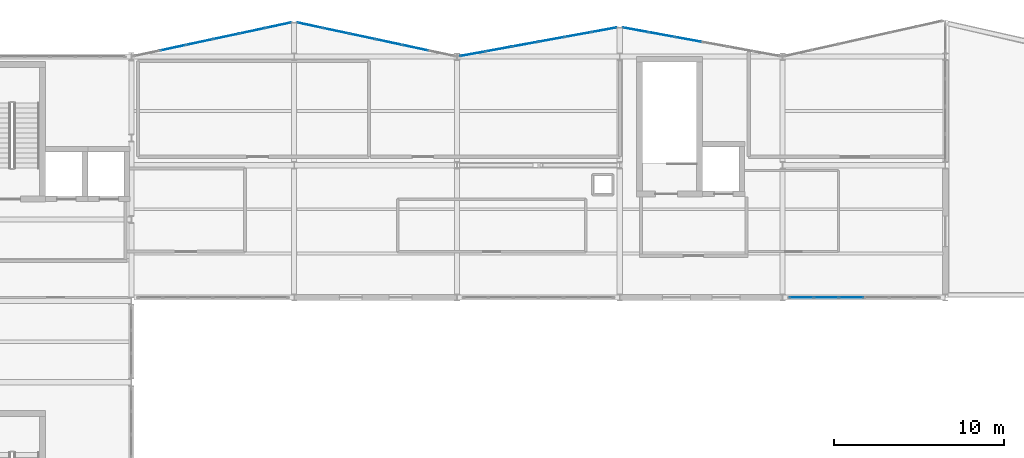
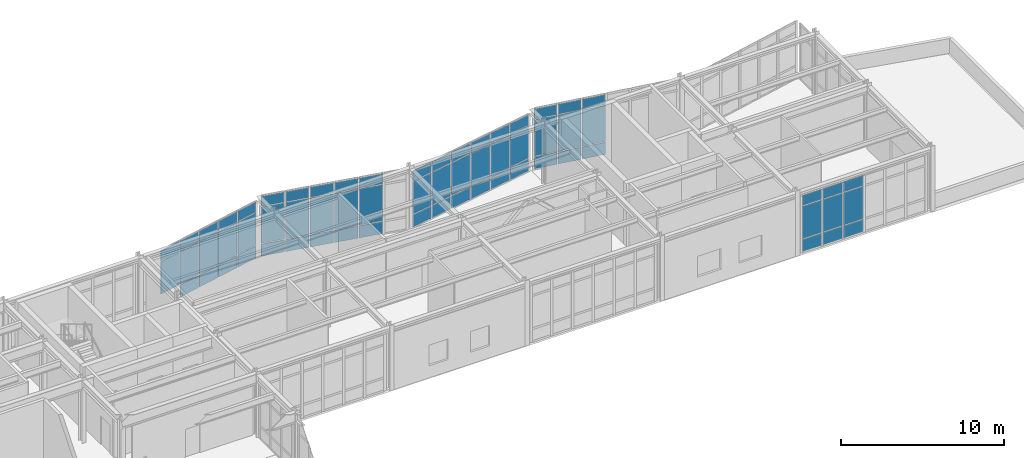
# One storey, part 20 of 28: 65 plates, 5 elements without a shape of their own.
"""IFC4 building model written with IfcOpenShell, lengths in metres."""

from ifc_helpers import new_model, si_unit, direction, frame, origin, origin_2d, place, context, subcontext, project, spatial, rectangle, extrude, material, layer, layer_set, type_object, element, aggregate, save


model = new_model("IFC4")

# Units and contexts
model_context = context("Model", 3, precision=1e-05, world=origin(), true_north=direction((0.0, 1.0)))
body_context = subcontext(model_context, "Body", "Model", "MODEL_VIEW")
ifc_project = project(units=[si_unit("LENGTHUNIT", "METRE"), si_unit("AREAUNIT", "SQUARE_METRE"), si_unit("VOLUMEUNIT", "CUBIC_METRE"), si_unit("PLANEANGLEUNIT", "RADIAN"), si_unit("MASSUNIT", "GRAM", prefix="KILO")], contexts=[model_context])

# Site, building, storey
site_placement = place(None, origin())
site = spatial("IfcSite", under=ifc_project, at=site_placement, CompositionType="ELEMENT")
building_placement = place(site_placement, origin())
building = spatial("IfcBuilding", under=site, at=building_placement, Name="Nordkorset Police Headquarters", CompositionType="ELEMENT")
storey_placement = place(building_placement, frame((0.0, 0.0, 26.25)))
storey = spatial("IfcBuildingStorey", under=building, at=storey_placement, Name="L06", CompositionType="ELEMENT", Elevation=26.25)

# Curtain wall, plates
ifc_material_1 = material(Name="Aluminium alloy AW-6060", Category="aluminium")
ifc_layer_1 = layer(ifc_material_1, 0.179931640625, Name="Aluminium alloy AW-6060")
ifc_layer_set_1 = layer_set([ifc_layer_1], Name="Aluminium alloy AW-6060")
curtain_wall_type_1 = type_object("IfcCurtainWallType", Name="CW_Unit_954x434", PredefinedType="USERDEFINED", material=ifc_layer_set_1)
curtain_wall_1_placement = place(storey_placement, origin())
curtain_wall_1 = element("IfcCurtainWall", 1, at=curtain_wall_1_placement, inside=storey, type_object=curtain_wall_type_1, Name="Unitised Curtain Wall L06 V2N-0", ObjectType="UNITISED CURTAIN WALL", PredefinedType="USERDEFINED")
ifc_material_2 = material(Name="Low-iron triple glazing", Category="glass")
ifc_layer_2 = layer(ifc_material_2, 0.035888671875, Name="Low-iron triple glazing")
ifc_layer_set_2 = layer_set([ifc_layer_2], Name="Low-iron triple glazing")
plate_type = type_object("IfcPlateType", Name="CW_Panel_TripleGlazing_36", PredefinedType="CURTAIN_PANEL", material=ifc_layer_set_2)
plate_1_placement = place(storey_placement, frame((31.2685546875, 117.3271484375, 1.032470703125), z_axis=(0.0, 0.0, 1.0), x_axis=(0.977951416289, 0.208832534289, 0.0)))
plate_1 = element("IfcPlate", 2, at=plate_1_placement, type_object=plate_type, Name="CW-77 panel 2.2", PredefinedType="CURTAIN_PANEL", context=body_context, shape_type="SweptSolid", body=[
    extrude(rectangle(XDim=1.5244140625, YDim=0.035888671875, at=origin_2d()), origin(), (0.0, 0.0, 1.0), 2.419921875),
])
plate_2_placement = place(storey_placement, frame((31.2685546875, 117.3271484375, 3.517578125), z_axis=(0.0, 0.0, 1.0), x_axis=(0.977951416289, 0.208832534289, 0.0)))
plate_2 = element("IfcPlate", 3, at=plate_2_placement, type_object=plate_type, Name="CW-77 panel 2.3", PredefinedType="CURTAIN_PANEL", context=body_context, shape_type="SweptSolid", body=[
    extrude(rectangle(XDim=1.5244140625, YDim=0.035888671875, at=origin_2d()), origin(), (0.0, 0.0, 1.0), 0.75244140625),
])
plate_3_placement = place(storey_placement, frame((32.82275390625, 117.658935546875, 0.06494140625), z_axis=(0.0, 0.0, 1.0), x_axis=(0.977951416289, 0.208832534289, 0.0)))
plate_3 = element("IfcPlate", 4, at=plate_3_placement, type_object=plate_type, Name="CW-77 panel 3.1", PredefinedType="CURTAIN_PANEL", context=body_context, shape_type="SweptSolid", body=[
    extrude(rectangle(XDim=1.5244140625, YDim=0.035888671875, at=origin_2d()), origin(), (0.0, 0.0, 1.0), 0.902587890625),
])
plate_4_placement = place(storey_placement, frame((32.82275390625, 117.658935546875, 1.032470703125), z_axis=(0.0, 0.0, 1.0), x_axis=(0.977951416289, 0.208832534289, 0.0)))
plate_4 = element("IfcPlate", 5, at=plate_4_placement, type_object=plate_type, Name="CW-77 panel 3.2", PredefinedType="CURTAIN_PANEL", context=body_context, shape_type="SweptSolid", body=[
    extrude(rectangle(XDim=1.5244140625, YDim=0.035888671875, at=origin_2d()), origin(), (0.0, 0.0, 1.0), 2.419921875),
])
plate_5_placement = place(storey_placement, frame((32.82275390625, 117.658935546875, 3.517578125), z_axis=(0.0, 0.0, 1.0), x_axis=(0.977951416289, 0.208832534289, 0.0)))
plate_5 = element("IfcPlate", 6, at=plate_5_placement, type_object=plate_type, Name="CW-77 panel 3.3", PredefinedType="CURTAIN_PANEL", context=body_context, shape_type="SweptSolid", body=[
    extrude(rectangle(XDim=1.5244140625, YDim=0.035888671875, at=origin_2d()), origin(), (0.0, 0.0, 1.0), 0.75244140625),
])
plate_6_placement = place(storey_placement, frame((34.377197265625, 117.990966796875, 0.06494140625), z_axis=(0.0, 0.0, 1.0), x_axis=(0.977951416289, 0.208832534289, 0.0)))
plate_6 = element("IfcPlate", 7, at=plate_6_placement, type_object=plate_type, Name="CW-77 panel 4.1", PredefinedType="CURTAIN_PANEL", context=body_context, shape_type="SweptSolid", body=[
    extrude(rectangle(XDim=1.5244140625, YDim=0.035888671875, at=origin_2d()), origin(), (0.0, 0.0, 1.0), 0.902587890625),
])
plate_7_placement = place(storey_placement, frame((34.377197265625, 117.990966796875, 1.032470703125), z_axis=(0.0, 0.0, 1.0), x_axis=(0.977951416289, 0.208832534289, 0.0)))
plate_7 = element("IfcPlate", 8, at=plate_7_placement, type_object=plate_type, Name="CW-77 panel 4.2", PredefinedType="CURTAIN_PANEL", context=body_context, shape_type="SweptSolid", body=[
    extrude(rectangle(XDim=1.5244140625, YDim=0.035888671875, at=origin_2d()), origin(), (0.0, 0.0, 1.0), 2.419921875),
])
plate_8_placement = place(storey_placement, frame((34.377197265625, 117.990966796875, 3.517578125), z_axis=(0.0, 0.0, 1.0), x_axis=(0.977951416289, 0.208832534289, 0.0)))
plate_8 = element("IfcPlate", 9, at=plate_8_placement, type_object=plate_type, Name="CW-77 panel 4.3", PredefinedType="CURTAIN_PANEL", context=body_context, shape_type="SweptSolid", body=[
    extrude(rectangle(XDim=1.5244140625, YDim=0.035888671875, at=origin_2d()), origin(), (0.0, 0.0, 1.0), 0.75244140625),
])
plate_9_placement = place(storey_placement, frame((35.931640625, 118.322998046875, 0.06494140625), z_axis=(0.0, 0.0, 1.0), x_axis=(0.977951416289, 0.208832534289, 0.0)))
plate_9 = element("IfcPlate", 10, at=plate_9_placement, type_object=plate_type, Name="CW-77 panel 5.1", PredefinedType="CURTAIN_PANEL", context=body_context, shape_type="SweptSolid", body=[
    extrude(rectangle(XDim=1.5244140625, YDim=0.035888671875, at=origin_2d()), origin(), (0.0, 0.0, 1.0), 0.902587890625),
])
plate_10_placement = place(storey_placement, frame((35.931640625, 118.322998046875, 1.032470703125), z_axis=(0.0, 0.0, 1.0), x_axis=(0.977951416289, 0.208832534289, 0.0)))
plate_10 = element("IfcPlate", 11, at=plate_10_placement, type_object=plate_type, Name="CW-77 panel 5.2", PredefinedType="CURTAIN_PANEL", context=body_context, shape_type="SweptSolid", body=[
    extrude(rectangle(XDim=1.5244140625, YDim=0.035888671875, at=origin_2d()), origin(), (0.0, 0.0, 1.0), 2.419921875),
])
plate_11_placement = place(storey_placement, frame((35.931640625, 118.322998046875, 3.517578125), z_axis=(0.0, 0.0, 1.0), x_axis=(0.977951416289, 0.208832534289, 0.0)))
plate_11 = element("IfcPlate", 12, at=plate_11_placement, type_object=plate_type, Name="CW-77 panel 5.3", PredefinedType="CURTAIN_PANEL", context=body_context, shape_type="SweptSolid", body=[
    extrude(rectangle(XDim=1.5244140625, YDim=0.035888671875, at=origin_2d()), origin(), (0.0, 0.0, 1.0), 0.75244140625),
])
plate_12_placement = place(storey_placement, frame((37.469970703125, 118.6513671875, 0.06494140625), z_axis=(0.0, 0.0, 1.0), x_axis=(0.977951416289, 0.208832534289, 0.0)))
plate_12 = element("IfcPlate", 13, at=plate_12_placement, type_object=plate_type, Name="CW-77 panel 6.1", PredefinedType="CURTAIN_PANEL", context=body_context, shape_type="SweptSolid", body=[
    extrude(rectangle(XDim=1.491943359375, YDim=0.035888671875, at=origin_2d()), origin(), (0.0, 0.0, 1.0), 0.902587890625),
])
plate_13_placement = place(storey_placement, frame((37.469970703125, 118.6513671875, 1.032470703125), z_axis=(0.0, 0.0, 1.0), x_axis=(0.977951416289, 0.208832534289, 0.0)))
plate_13 = element("IfcPlate", 14, at=plate_13_placement, type_object=plate_type, Name="CW-77 panel 6.2", PredefinedType="CURTAIN_PANEL", context=body_context, shape_type="SweptSolid", body=[
    extrude(rectangle(XDim=1.491943359375, YDim=0.035888671875, at=origin_2d()), origin(), (0.0, 0.0, 1.0), 2.419921875),
])
plate_14_placement = place(storey_placement, frame((37.469970703125, 118.6513671875, 3.517578125), z_axis=(0.0, 0.0, 1.0), x_axis=(0.977951416289, 0.208832534289, 0.0)))
plate_14 = element("IfcPlate", 15, at=plate_14_placement, type_object=plate_type, Name="CW-77 panel 6.3", PredefinedType="CURTAIN_PANEL", context=body_context, shape_type="SweptSolid", body=[
    extrude(rectangle(XDim=1.491943359375, YDim=0.035888671875, at=origin_2d()), origin(), (0.0, 0.0, 1.0), 0.75244140625),
])
aggregate(curtain_wall_1, [plate_1, plate_2, plate_3, plate_4, plate_5, plate_6, plate_7, plate_8, plate_9, plate_10, plate_11, plate_12, plate_13, plate_14])

ifc_material_3 = material(Name="Aluminium alloy AW-6060", Category="aluminium")
ifc_layer_3 = layer(ifc_material_3, 0.179931640625, Name="Aluminium alloy AW-6060")
ifc_layer_set_3 = layer_set([ifc_layer_3], Name="Aluminium alloy AW-6060")
curtain_wall_type_2 = type_object("IfcCurtainWallType", Name="CW_Unit_954x462", PredefinedType="USERDEFINED", material=ifc_layer_set_3)
curtain_wall_2_placement = place(storey_placement, origin())
curtain_wall_2 = element("IfcCurtainWall", 16, at=curtain_wall_2_placement, inside=storey, type_object=curtain_wall_type_2, Name="Unitised Curtain Wall L06 V2N-1", ObjectType="UNITISED CURTAIN WALL", PredefinedType="USERDEFINED")
plate_15_placement = place(storey_placement, frame((39.330078125, 118.6513671875, 0.06494140625), z_axis=(0.0, 0.0, 1.0), x_axis=(0.977951416289, -0.208832534289, 0.0)))
plate_15 = element("IfcPlate", 17, at=plate_15_placement, type_object=plate_type, Name="CW-88 panel 1.1", PredefinedType="CURTAIN_PANEL", context=body_context, shape_type="SweptSolid", body=[
    extrude(rectangle(XDim=1.491943359375, YDim=0.035888671875, at=origin_2d()), origin(), (0.0, 0.0, 1.0), 0.902587890625),
])
plate_16_placement = place(storey_placement, frame((39.330078125, 118.6513671875, 1.032470703125), z_axis=(0.0, 0.0, 1.0), x_axis=(0.977951416289, -0.208832534289, 0.0)))
plate_16 = element("IfcPlate", 18, at=plate_16_placement, type_object=plate_type, Name="CW-88 panel 1.2", PredefinedType="CURTAIN_PANEL", context=body_context, shape_type="SweptSolid", body=[
    extrude(rectangle(XDim=1.491943359375, YDim=0.035888671875, at=origin_2d()), origin(), (0.0, 0.0, 1.0), 2.705078125),
])
plate_17_placement = place(storey_placement, frame((39.330078125, 118.6513671875, 3.802490234375), z_axis=(0.0, 0.0, 1.0), x_axis=(0.977951416289, -0.208832534289, 0.0)))
plate_17 = element("IfcPlate", 19, at=plate_17_placement, type_object=plate_type, Name="CW-88 panel 1.3", PredefinedType="CURTAIN_PANEL", context=body_context, shape_type="SweptSolid", body=[
    extrude(rectangle(XDim=1.491943359375, YDim=0.035888671875, at=origin_2d()), origin(), (0.0, 0.0, 1.0), 0.75244140625),
])
plate_18_placement = place(storey_placement, frame((40.868408203125, 118.322998046875, 0.06494140625), z_axis=(0.0, 0.0, 1.0), x_axis=(0.977951416289, -0.208832534289, 0.0)))
plate_18 = element("IfcPlate", 20, at=plate_18_placement, type_object=plate_type, Name="CW-88 panel 2.1", PredefinedType="CURTAIN_PANEL", context=body_context, shape_type="SweptSolid", body=[
    extrude(rectangle(XDim=1.5244140625, YDim=0.035888671875, at=origin_2d()), origin(), (0.0, 0.0, 1.0), 0.902587890625),
])
plate_19_placement = place(storey_placement, frame((40.868408203125, 118.322998046875, 1.032470703125), z_axis=(0.0, 0.0, 1.0), x_axis=(0.977951416289, -0.208832534289, 0.0)))
plate_19 = element("IfcPlate", 21, at=plate_19_placement, type_object=plate_type, Name="CW-88 panel 2.2", PredefinedType="CURTAIN_PANEL", context=body_context, shape_type="SweptSolid", body=[
    extrude(rectangle(XDim=1.5244140625, YDim=0.035888671875, at=origin_2d()), origin(), (0.0, 0.0, 1.0), 2.705078125),
])
plate_20_placement = place(storey_placement, frame((40.868408203125, 118.322998046875, 3.802490234375), z_axis=(0.0, 0.0, 1.0), x_axis=(0.977951416289, -0.208832534289, 0.0)))
plate_20 = element("IfcPlate", 22, at=plate_20_placement, type_object=plate_type, Name="CW-88 panel 2.3", PredefinedType="CURTAIN_PANEL", context=body_context, shape_type="SweptSolid", body=[
    extrude(rectangle(XDim=1.5244140625, YDim=0.035888671875, at=origin_2d()), origin(), (0.0, 0.0, 1.0), 0.75244140625),
])
plate_21_placement = place(storey_placement, frame((42.4228515625, 117.990966796875, 0.06494140625), z_axis=(0.0, 0.0, 1.0), x_axis=(0.977951416289, -0.208832534289, 0.0)))
plate_21 = element("IfcPlate", 23, at=plate_21_placement, type_object=plate_type, Name="CW-88 panel 3.1", PredefinedType="CURTAIN_PANEL", context=body_context, shape_type="SweptSolid", body=[
    extrude(rectangle(XDim=1.5244140625, YDim=0.035888671875, at=origin_2d()), origin(), (0.0, 0.0, 1.0), 0.902587890625),
])
plate_22_placement = place(storey_placement, frame((42.4228515625, 117.990966796875, 1.032470703125), z_axis=(0.0, 0.0, 1.0), x_axis=(0.977951416289, -0.208832534289, 0.0)))
plate_22 = element("IfcPlate", 24, at=plate_22_placement, type_object=plate_type, Name="CW-88 panel 3.2", PredefinedType="CURTAIN_PANEL", context=body_context, shape_type="SweptSolid", body=[
    extrude(rectangle(XDim=1.5244140625, YDim=0.035888671875, at=origin_2d()), origin(), (0.0, 0.0, 1.0), 2.705078125),
])
plate_23_placement = place(storey_placement, frame((42.4228515625, 117.990966796875, 3.802490234375), z_axis=(0.0, 0.0, 1.0), x_axis=(0.977951416289, -0.208832534289, 0.0)))
plate_23 = element("IfcPlate", 25, at=plate_23_placement, type_object=plate_type, Name="CW-88 panel 3.3", PredefinedType="CURTAIN_PANEL", context=body_context, shape_type="SweptSolid", body=[
    extrude(rectangle(XDim=1.5244140625, YDim=0.035888671875, at=origin_2d()), origin(), (0.0, 0.0, 1.0), 0.75244140625),
])
plate_24_placement = place(storey_placement, frame((43.977294921875, 117.658935546875, 0.06494140625), z_axis=(0.0, 0.0, 1.0), x_axis=(0.977951416289, -0.208832534289, 0.0)))
plate_24 = element("IfcPlate", 26, at=plate_24_placement, type_object=plate_type, Name="CW-88 panel 4.1", PredefinedType="CURTAIN_PANEL", context=body_context, shape_type="SweptSolid", body=[
    extrude(rectangle(XDim=1.5244140625, YDim=0.035888671875, at=origin_2d()), origin(), (0.0, 0.0, 1.0), 0.902587890625),
])
plate_25_placement = place(storey_placement, frame((43.977294921875, 117.658935546875, 1.032470703125), z_axis=(0.0, 0.0, 1.0), x_axis=(0.977951416289, -0.208832534289, 0.0)))
plate_25 = element("IfcPlate", 27, at=plate_25_placement, type_object=plate_type, Name="CW-88 panel 4.2", PredefinedType="CURTAIN_PANEL", context=body_context, shape_type="SweptSolid", body=[
    extrude(rectangle(XDim=1.5244140625, YDim=0.035888671875, at=origin_2d()), origin(), (0.0, 0.0, 1.0), 2.705078125),
])
plate_26_placement = place(storey_placement, frame((43.977294921875, 117.658935546875, 3.802490234375), z_axis=(0.0, 0.0, 1.0), x_axis=(0.977951416289, -0.208832534289, 0.0)))
plate_26 = element("IfcPlate", 28, at=plate_26_placement, type_object=plate_type, Name="CW-88 panel 4.3", PredefinedType="CURTAIN_PANEL", context=body_context, shape_type="SweptSolid", body=[
    extrude(rectangle(XDim=1.5244140625, YDim=0.035888671875, at=origin_2d()), origin(), (0.0, 0.0, 1.0), 0.75244140625),
])
plate_27_placement = place(storey_placement, frame((45.531494140625, 117.3271484375, 0.06494140625), z_axis=(0.0, 0.0, 1.0), x_axis=(0.977951416289, -0.208832534289, 0.0)))
plate_27 = element("IfcPlate", 29, at=plate_27_placement, type_object=plate_type, Name="CW-88 panel 5.1", PredefinedType="CURTAIN_PANEL", context=body_context, shape_type="SweptSolid", body=[
    extrude(rectangle(XDim=1.5244140625, YDim=0.035888671875, at=origin_2d()), origin(), (0.0, 0.0, 1.0), 0.902587890625),
])
plate_28_placement = place(storey_placement, frame((45.531494140625, 117.3271484375, 1.032470703125), z_axis=(0.0, 0.0, 1.0), x_axis=(0.977951416289, -0.208832534289, 0.0)))
plate_28 = element("IfcPlate", 30, at=plate_28_placement, type_object=plate_type, Name="CW-88 panel 5.2", PredefinedType="CURTAIN_PANEL", context=body_context, shape_type="SweptSolid", body=[
    extrude(rectangle(XDim=1.5244140625, YDim=0.035888671875, at=origin_2d()), origin(), (0.0, 0.0, 1.0), 2.705078125),
])
plate_29_placement = place(storey_placement, frame((45.531494140625, 117.3271484375, 3.802490234375), z_axis=(0.0, 0.0, 1.0), x_axis=(0.977951416289, -0.208832534289, 0.0)))
plate_29 = element("IfcPlate", 31, at=plate_29_placement, type_object=plate_type, Name="CW-88 panel 5.3", PredefinedType="CURTAIN_PANEL", context=body_context, shape_type="SweptSolid", body=[
    extrude(rectangle(XDim=1.5244140625, YDim=0.035888671875, at=origin_2d()), origin(), (0.0, 0.0, 1.0), 0.75244140625),
])
aggregate(curtain_wall_2, [plate_15, plate_16, plate_17, plate_18, plate_19, plate_20, plate_21, plate_22, plate_23, plate_24, plate_25, plate_26, plate_27, plate_28, plate_29])

ifc_material_4 = material(Name="Aluminium alloy AW-6060", Category="aluminium")
ifc_layer_4 = layer(ifc_material_4, 0.179931640625, Name="Aluminium alloy AW-6060")
ifc_layer_set_4 = layer_set([ifc_layer_4], Name="Aluminium alloy AW-6060")
curtain_wall_type_3 = type_object("IfcCurtainWallType", Name="CW_Unit_948x434", PredefinedType="USERDEFINED", material=ifc_layer_set_4)
curtain_wall_3_placement = place(storey_placement, origin())
curtain_wall_3 = element("IfcCurtainWall", 32, at=curtain_wall_3_placement, inside=storey, type_object=curtain_wall_type_3, Name="Unitised Curtain Wall L06 V2N-2", ObjectType="UNITISED CURTAIN WALL", PredefinedType="USERDEFINED")
plate_30_placement = place(storey_placement, frame((48.9306640625, 116.9697265625, 0.06494140625), z_axis=(0.0, 0.0, 1.0), x_axis=(0.983787934979, 0.179335715876, 0.0)))
plate_30 = element("IfcPlate", 33, at=plate_30_placement, type_object=plate_type, Name="CW-55 panel 1.1", PredefinedType="CURTAIN_PANEL", context=body_context, shape_type="SweptSolid", body=[
    extrude(rectangle(XDim=1.482177734375, YDim=0.035888671875, at=origin_2d()), origin(), (0.0, 0.0, 1.0), 0.902587890625),
])
plate_31_placement = place(storey_placement, frame((48.9306640625, 116.9697265625, 1.032470703125), z_axis=(0.0, 0.0, 1.0), x_axis=(0.983787934979, 0.179335715876, 0.0)))
plate_31 = element("IfcPlate", 34, at=plate_31_placement, type_object=plate_type, Name="CW-55 panel 1.2", PredefinedType="CURTAIN_PANEL", context=body_context, shape_type="SweptSolid", body=[
    extrude(rectangle(XDim=1.482177734375, YDim=0.035888671875, at=origin_2d()), origin(), (0.0, 0.0, 1.0), 2.419921875),
])
plate_32_placement = place(storey_placement, frame((48.9306640625, 116.9697265625, 3.517578125), z_axis=(0.0, 0.0, 1.0), x_axis=(0.983787934979, 0.179335715876, 0.0)))
plate_32 = element("IfcPlate", 35, at=plate_32_placement, type_object=plate_type, Name="CW-55 panel 1.3", PredefinedType="CURTAIN_PANEL", context=body_context, shape_type="SweptSolid", body=[
    extrude(rectangle(XDim=1.482177734375, YDim=0.035888671875, at=origin_2d()), origin(), (0.0, 0.0, 1.0), 0.75244140625),
])
plate_33_placement = place(storey_placement, frame((50.46875, 117.25, 0.06494140625), z_axis=(0.0, 0.0, 1.0), x_axis=(0.983787934979, 0.179335715876, 0.0)))
plate_33 = element("IfcPlate", 36, at=plate_33_placement, type_object=plate_type, Name="CW-55 panel 2.1", PredefinedType="CURTAIN_PANEL", context=body_context, shape_type="SweptSolid", body=[
    extrude(rectangle(XDim=1.5146484375, YDim=0.035888671875, at=origin_2d()), origin(), (0.0, 0.0, 1.0), 0.902587890625),
])
plate_34_placement = place(storey_placement, frame((50.46875, 117.25, 1.032470703125), z_axis=(0.0, 0.0, 1.0), x_axis=(0.983787934979, 0.179335715876, 0.0)))
plate_34 = element("IfcPlate", 37, at=plate_34_placement, type_object=plate_type, Name="CW-55 panel 2.2", PredefinedType="CURTAIN_PANEL", context=body_context, shape_type="SweptSolid", body=[
    extrude(rectangle(XDim=1.5146484375, YDim=0.035888671875, at=origin_2d()), origin(), (0.0, 0.0, 1.0), 2.419921875),
])
plate_35_placement = place(storey_placement, frame((50.46875, 117.25, 3.517578125), z_axis=(0.0, 0.0, 1.0), x_axis=(0.983787934979, 0.179335715876, 0.0)))
plate_35 = element("IfcPlate", 38, at=plate_35_placement, type_object=plate_type, Name="CW-55 panel 2.3", PredefinedType="CURTAIN_PANEL", context=body_context, shape_type="SweptSolid", body=[
    extrude(rectangle(XDim=1.5146484375, YDim=0.035888671875, at=origin_2d()), origin(), (0.0, 0.0, 1.0), 0.75244140625),
])
plate_36_placement = place(storey_placement, frame((52.02294921875, 117.533447265625, 0.06494140625), z_axis=(0.0, 0.0, 1.0), x_axis=(0.983787934979, 0.179335715876, 0.0)))
plate_36 = element("IfcPlate", 39, at=plate_36_placement, type_object=plate_type, Name="CW-55 panel 3.1", PredefinedType="CURTAIN_PANEL", context=body_context, shape_type="SweptSolid", body=[
    extrude(rectangle(XDim=1.5146484375, YDim=0.035888671875, at=origin_2d()), origin(), (0.0, 0.0, 1.0), 0.902587890625),
])
plate_37_placement = place(storey_placement, frame((52.02294921875, 117.533447265625, 1.032470703125), z_axis=(0.0, 0.0, 1.0), x_axis=(0.983787934979, 0.179335715876, 0.0)))
plate_37 = element("IfcPlate", 40, at=plate_37_placement, type_object=plate_type, Name="CW-55 panel 3.2", PredefinedType="CURTAIN_PANEL", context=body_context, shape_type="SweptSolid", body=[
    extrude(rectangle(XDim=1.5146484375, YDim=0.035888671875, at=origin_2d()), origin(), (0.0, 0.0, 1.0), 2.419921875),
])
plate_38_placement = place(storey_placement, frame((52.02294921875, 117.533447265625, 3.517578125), z_axis=(0.0, 0.0, 1.0), x_axis=(0.983787934979, 0.179335715876, 0.0)))
plate_38 = element("IfcPlate", 41, at=plate_38_placement, type_object=plate_type, Name="CW-55 panel 3.3", PredefinedType="CURTAIN_PANEL", context=body_context, shape_type="SweptSolid", body=[
    extrude(rectangle(XDim=1.5146484375, YDim=0.035888671875, at=origin_2d()), origin(), (0.0, 0.0, 1.0), 0.75244140625),
])
plate_39_placement = place(storey_placement, frame((53.5771484375, 117.816650390625, 0.06494140625), z_axis=(0.0, 0.0, 1.0), x_axis=(0.983787934979, 0.179335715876, 0.0)))
plate_39 = element("IfcPlate", 42, at=plate_39_placement, type_object=plate_type, Name="CW-55 panel 4.1", PredefinedType="CURTAIN_PANEL", context=body_context, shape_type="SweptSolid", body=[
    extrude(rectangle(XDim=1.5146484375, YDim=0.035888671875, at=origin_2d()), origin(), (0.0, 0.0, 1.0), 0.902587890625),
])
plate_40_placement = place(storey_placement, frame((53.5771484375, 117.816650390625, 1.032470703125), z_axis=(0.0, 0.0, 1.0), x_axis=(0.983787934979, 0.179335715876, 0.0)))
plate_40 = element("IfcPlate", 43, at=plate_40_placement, type_object=plate_type, Name="CW-55 panel 4.2", PredefinedType="CURTAIN_PANEL", context=body_context, shape_type="SweptSolid", body=[
    extrude(rectangle(XDim=1.5146484375, YDim=0.035888671875, at=origin_2d()), origin(), (0.0, 0.0, 1.0), 2.419921875),
])
plate_41_placement = place(storey_placement, frame((53.5771484375, 117.816650390625, 3.517578125), z_axis=(0.0, 0.0, 1.0), x_axis=(0.983787934979, 0.179335715876, 0.0)))
plate_41 = element("IfcPlate", 44, at=plate_41_placement, type_object=plate_type, Name="CW-55 panel 4.3", PredefinedType="CURTAIN_PANEL", context=body_context, shape_type="SweptSolid", body=[
    extrude(rectangle(XDim=1.5146484375, YDim=0.035888671875, at=origin_2d()), origin(), (0.0, 0.0, 1.0), 0.75244140625),
])
plate_42_placement = place(storey_placement, frame((55.131103515625, 118.099853515625, 0.06494140625), z_axis=(0.0, 0.0, 1.0), x_axis=(0.983787934979, 0.179335715876, 0.0)))
plate_42 = element("IfcPlate", 45, at=plate_42_placement, type_object=plate_type, Name="CW-55 panel 5.1", PredefinedType="CURTAIN_PANEL", context=body_context, shape_type="SweptSolid", body=[
    extrude(rectangle(XDim=1.5146484375, YDim=0.035888671875, at=origin_2d()), origin(), (0.0, 0.0, 1.0), 0.902587890625),
])
plate_43_placement = place(storey_placement, frame((55.131103515625, 118.099853515625, 1.032470703125), z_axis=(0.0, 0.0, 1.0), x_axis=(0.983787934979, 0.179335715876, 0.0)))
plate_43 = element("IfcPlate", 46, at=plate_43_placement, type_object=plate_type, Name="CW-55 panel 5.2", PredefinedType="CURTAIN_PANEL", context=body_context, shape_type="SweptSolid", body=[
    extrude(rectangle(XDim=1.5146484375, YDim=0.035888671875, at=origin_2d()), origin(), (0.0, 0.0, 1.0), 2.419921875),
])
plate_44_placement = place(storey_placement, frame((55.131103515625, 118.099853515625, 3.517578125), z_axis=(0.0, 0.0, 1.0), x_axis=(0.983787934979, 0.179335715876, 0.0)))
plate_44 = element("IfcPlate", 47, at=plate_44_placement, type_object=plate_type, Name="CW-55 panel 5.3", PredefinedType="CURTAIN_PANEL", context=body_context, shape_type="SweptSolid", body=[
    extrude(rectangle(XDim=1.5146484375, YDim=0.035888671875, at=origin_2d()), origin(), (0.0, 0.0, 1.0), 0.75244140625),
])
plate_45_placement = place(storey_placement, frame((56.669189453125, 118.38037109375, 0.06494140625), z_axis=(0.0, 0.0, 1.0), x_axis=(0.983787934979, 0.179335715876, 0.0)))
plate_45 = element("IfcPlate", 48, at=plate_45_placement, type_object=plate_type, Name="CW-55 panel 6.1", PredefinedType="CURTAIN_PANEL", context=body_context, shape_type="SweptSolid", body=[
    extrude(rectangle(XDim=1.482177734375, YDim=0.035888671875, at=origin_2d()), origin(), (0.0, 0.0, 1.0), 0.902587890625),
])
plate_46_placement = place(storey_placement, frame((56.669189453125, 118.38037109375, 1.032470703125), z_axis=(0.0, 0.0, 1.0), x_axis=(0.983787934979, 0.179335715876, 0.0)))
plate_46 = element("IfcPlate", 49, at=plate_46_placement, type_object=plate_type, Name="CW-55 panel 6.2", PredefinedType="CURTAIN_PANEL", context=body_context, shape_type="SweptSolid", body=[
    extrude(rectangle(XDim=1.482177734375, YDim=0.035888671875, at=origin_2d()), origin(), (0.0, 0.0, 1.0), 2.419921875),
])
plate_47_placement = place(storey_placement, frame((56.669189453125, 118.38037109375, 3.517578125), z_axis=(0.0, 0.0, 1.0), x_axis=(0.983787934979, 0.179335715876, 0.0)))
plate_47 = element("IfcPlate", 50, at=plate_47_placement, type_object=plate_type, Name="CW-55 panel 6.3", PredefinedType="CURTAIN_PANEL", context=body_context, shape_type="SweptSolid", body=[
    extrude(rectangle(XDim=1.482177734375, YDim=0.035888671875, at=origin_2d()), origin(), (0.0, 0.0, 1.0), 0.75244140625),
])
aggregate(curtain_wall_3, [plate_30, plate_31, plate_32, plate_33, plate_34, plate_35, plate_36, plate_37, plate_38, plate_39, plate_40, plate_41, plate_42, plate_43, plate_44, plate_45, plate_46, plate_47])

ifc_material_5 = material(Name="Aluminium alloy AW-6060", Category="aluminium")
ifc_layer_5 = layer(ifc_material_5, 0.179931640625, Name="Aluminium alloy AW-6060")
ifc_layer_set_5 = layer_set([ifc_layer_5], Name="Aluminium alloy AW-6060")
curtain_wall_type_4 = type_object("IfcCurtainWallType", Name="CW_Unit_948x462", PredefinedType="USERDEFINED", material=ifc_layer_set_5)
curtain_wall_4_placement = place(storey_placement, origin())
curtain_wall_4 = element("IfcCurtainWall", 51, at=curtain_wall_4_placement, inside=storey, type_object=curtain_wall_type_4, Name="Unitised Curtain Wall L06 V2N-3", ObjectType="UNITISED CURTAIN WALL", PredefinedType="USERDEFINED")
plate_48_placement = place(storey_placement, frame((58.53076171875, 118.38037109375, 0.06494140625), z_axis=(0.0, 0.0, 1.0), x_axis=(0.983787934979, -0.179335715876, 0.0)))
plate_48 = element("IfcPlate", 52, at=plate_48_placement, type_object=plate_type, Name="CW-98 panel 1.1", PredefinedType="CURTAIN_PANEL", context=body_context, shape_type="SweptSolid", body=[
    extrude(rectangle(XDim=1.482177734375, YDim=0.035888671875, at=origin_2d()), origin(), (0.0, 0.0, 1.0), 0.902587890625),
])
plate_49_placement = place(storey_placement, frame((58.53076171875, 118.38037109375, 1.032470703125), z_axis=(0.0, 0.0, 1.0), x_axis=(0.983787934979, -0.179335715876, 0.0)))
plate_49 = element("IfcPlate", 53, at=plate_49_placement, type_object=plate_type, Name="CW-98 panel 1.2", PredefinedType="CURTAIN_PANEL", context=body_context, shape_type="SweptSolid", body=[
    extrude(rectangle(XDim=1.482177734375, YDim=0.035888671875, at=origin_2d()), origin(), (0.0, 0.0, 1.0), 2.705078125),
])
plate_50_placement = place(storey_placement, frame((58.53076171875, 118.38037109375, 3.802490234375), z_axis=(0.0, 0.0, 1.0), x_axis=(0.983787934979, -0.179335715876, 0.0)))
plate_50 = element("IfcPlate", 54, at=plate_50_placement, type_object=plate_type, Name="CW-98 panel 1.3", PredefinedType="CURTAIN_PANEL", context=body_context, shape_type="SweptSolid", body=[
    extrude(rectangle(XDim=1.482177734375, YDim=0.035888671875, at=origin_2d()), origin(), (0.0, 0.0, 1.0), 0.75244140625),
])
plate_51_placement = place(storey_placement, frame((60.06884765625, 118.099853515625, 0.06494140625), z_axis=(0.0, 0.0, 1.0), x_axis=(0.983787934979, -0.179335715876, 0.0)))
plate_51 = element("IfcPlate", 55, at=plate_51_placement, type_object=plate_type, Name="CW-98 panel 2.1", PredefinedType="CURTAIN_PANEL", context=body_context, shape_type="SweptSolid", body=[
    extrude(rectangle(XDim=1.5146484375, YDim=0.035888671875, at=origin_2d()), origin(), (0.0, 0.0, 1.0), 0.902587890625),
])
plate_52_placement = place(storey_placement, frame((60.06884765625, 118.099853515625, 1.032470703125), z_axis=(0.0, 0.0, 1.0), x_axis=(0.983787934979, -0.179335715876, 0.0)))
plate_52 = element("IfcPlate", 56, at=plate_52_placement, type_object=plate_type, Name="CW-98 panel 2.2", PredefinedType="CURTAIN_PANEL", context=body_context, shape_type="SweptSolid", body=[
    extrude(rectangle(XDim=1.5146484375, YDim=0.035888671875, at=origin_2d()), origin(), (0.0, 0.0, 1.0), 2.705078125),
])
plate_53_placement = place(storey_placement, frame((60.06884765625, 118.099853515625, 3.802490234375), z_axis=(0.0, 0.0, 1.0), x_axis=(0.983787934979, -0.179335715876, 0.0)))
plate_53 = element("IfcPlate", 57, at=plate_53_placement, type_object=plate_type, Name="CW-98 panel 2.3", PredefinedType="CURTAIN_PANEL", context=body_context, shape_type="SweptSolid", body=[
    extrude(rectangle(XDim=1.5146484375, YDim=0.035888671875, at=origin_2d()), origin(), (0.0, 0.0, 1.0), 0.75244140625),
])
plate_54_placement = place(storey_placement, frame((61.623046875, 117.816650390625, 0.06494140625), z_axis=(0.0, 0.0, 1.0), x_axis=(0.983787934979, -0.179335715876, 0.0)))
plate_54 = element("IfcPlate", 58, at=plate_54_placement, type_object=plate_type, Name="CW-98 panel 3.1", PredefinedType="CURTAIN_PANEL", context=body_context, shape_type="SweptSolid", body=[
    extrude(rectangle(XDim=1.5146484375, YDim=0.035888671875, at=origin_2d()), origin(), (0.0, 0.0, 1.0), 0.902587890625),
])
plate_55_placement = place(storey_placement, frame((61.623046875, 117.816650390625, 1.032470703125), z_axis=(0.0, 0.0, 1.0), x_axis=(0.983787934979, -0.179335715876, 0.0)))
plate_55 = element("IfcPlate", 59, at=plate_55_placement, type_object=plate_type, Name="CW-98 panel 3.2", PredefinedType="CURTAIN_PANEL", context=body_context, shape_type="SweptSolid", body=[
    extrude(rectangle(XDim=1.5146484375, YDim=0.035888671875, at=origin_2d()), origin(), (0.0, 0.0, 1.0), 2.705078125),
])
plate_56_placement = place(storey_placement, frame((61.623046875, 117.816650390625, 3.802490234375), z_axis=(0.0, 0.0, 1.0), x_axis=(0.983787934979, -0.179335715876, 0.0)))
plate_56 = element("IfcPlate", 60, at=plate_56_placement, type_object=plate_type, Name="CW-98 panel 3.3", PredefinedType="CURTAIN_PANEL", context=body_context, shape_type="SweptSolid", body=[
    extrude(rectangle(XDim=1.5146484375, YDim=0.035888671875, at=origin_2d()), origin(), (0.0, 0.0, 1.0), 0.75244140625),
])
aggregate(curtain_wall_4, [plate_48, plate_49, plate_50, plate_51, plate_52, plate_53, plate_54, plate_55, plate_56])

ifc_material_6 = material(Name="Aluminium alloy AW-6060", Category="aluminium")
ifc_layer_6 = layer(ifc_material_6, 0.179931640625, Name="Aluminium alloy AW-6060")
ifc_layer_set_6 = layer_set([ifc_layer_6], Name="Aluminium alloy AW-6060")
curtain_wall_type_5 = type_object("IfcCurtainWallType", Name="CW_Unit_888x434", PredefinedType="USERDEFINED", material=ifc_layer_set_6)
curtain_wall_5_placement = place(storey_placement, origin())
curtain_wall_5 = element("IfcCurtainWall", 61, at=curtain_wall_5_placement, inside=storey, type_object=curtain_wall_type_5, Name="Unitised Curtain Wall L06 V2S-4", ObjectType="UNITISED CURTAIN WALL", PredefinedType="USERDEFINED")
plate_57_placement = place(storey_placement, frame((68.316162109375, 102.60009765625, 0.06494140625), z_axis=(0.0, 0.0, 1.0), x_axis=(1.0, 0.0, 0.0)))
plate_57 = element("IfcPlate", 62, at=plate_57_placement, type_object=plate_type, Name="CW-74 panel 1.1", PredefinedType="CURTAIN_PANEL", context=body_context, shape_type="SweptSolid", body=[
    extrude(rectangle(XDim=1.382568359375, YDim=0.035888671875, at=origin_2d()), origin(), (0.0, 0.0, 1.0), 0.902587890625),
])
plate_58_placement = place(storey_placement, frame((68.316162109375, 102.60009765625, 1.032470703125), z_axis=(0.0, 0.0, 1.0), x_axis=(1.0, 0.0, 0.0)))
plate_58 = element("IfcPlate", 63, at=plate_58_placement, type_object=plate_type, Name="CW-74 panel 1.2", PredefinedType="CURTAIN_PANEL", context=body_context, shape_type="SweptSolid", body=[
    extrude(rectangle(XDim=1.382568359375, YDim=0.035888671875, at=origin_2d()), origin(), (0.0, 0.0, 1.0), 2.419921875),
])
plate_59_placement = place(storey_placement, frame((68.316162109375, 102.60009765625, 3.517578125), z_axis=(0.0, 0.0, 1.0), x_axis=(1.0, 0.0, 0.0)))
plate_59 = element("IfcPlate", 64, at=plate_59_placement, type_object=plate_type, Name="CW-74 panel 1.3", PredefinedType="CURTAIN_PANEL", context=body_context, shape_type="SweptSolid", body=[
    extrude(rectangle(XDim=1.382568359375, YDim=0.035888671875, at=origin_2d()), origin(), (0.0, 0.0, 1.0), 0.75244140625),
])
plate_60_placement = place(storey_placement, frame((69.780029296875, 102.60009765625, 0.06494140625), z_axis=(0.0, 0.0, 1.0), x_axis=(1.0, 0.0, 0.0)))
plate_60 = element("IfcPlate", 65, at=plate_60_placement, type_object=plate_type, Name="CW-74 panel 2.1", PredefinedType="CURTAIN_PANEL", context=body_context, shape_type="SweptSolid", body=[
    extrude(rectangle(XDim=1.4150390625, YDim=0.035888671875, at=origin_2d()), origin(), (0.0, 0.0, 1.0), 0.902587890625),
])
plate_61_placement = place(storey_placement, frame((69.780029296875, 102.60009765625, 1.032470703125), z_axis=(0.0, 0.0, 1.0), x_axis=(1.0, 0.0, 0.0)))
plate_61 = element("IfcPlate", 66, at=plate_61_placement, type_object=plate_type, Name="CW-74 panel 2.2", PredefinedType="CURTAIN_PANEL", context=body_context, shape_type="SweptSolid", body=[
    extrude(rectangle(XDim=1.4150390625, YDim=0.035888671875, at=origin_2d()), origin(), (0.0, 0.0, 1.0), 2.419921875),
])
plate_62_placement = place(storey_placement, frame((69.780029296875, 102.60009765625, 3.517578125), z_axis=(0.0, 0.0, 1.0), x_axis=(1.0, 0.0, 0.0)))
plate_62 = element("IfcPlate", 67, at=plate_62_placement, type_object=plate_type, Name="CW-74 panel 2.3", PredefinedType="CURTAIN_PANEL", context=body_context, shape_type="SweptSolid", body=[
    extrude(rectangle(XDim=1.4150390625, YDim=0.035888671875, at=origin_2d()), origin(), (0.0, 0.0, 1.0), 0.75244140625),
])
plate_63_placement = place(storey_placement, frame((71.260009765625, 102.60009765625, 0.06494140625), z_axis=(0.0, 0.0, 1.0), x_axis=(1.0, 0.0, 0.0)))
plate_63 = element("IfcPlate", 68, at=plate_63_placement, type_object=plate_type, Name="CW-74 panel 3.1", PredefinedType="CURTAIN_PANEL", context=body_context, shape_type="SweptSolid", body=[
    extrude(rectangle(XDim=1.4150390625, YDim=0.035888671875, at=origin_2d()), origin(), (0.0, 0.0, 1.0), 0.902587890625),
])
plate_64_placement = place(storey_placement, frame((71.260009765625, 102.60009765625, 1.032470703125), z_axis=(0.0, 0.0, 1.0), x_axis=(1.0, 0.0, 0.0)))
plate_64 = element("IfcPlate", 69, at=plate_64_placement, type_object=plate_type, Name="CW-74 panel 3.2", PredefinedType="CURTAIN_PANEL", context=body_context, shape_type="SweptSolid", body=[
    extrude(rectangle(XDim=1.4150390625, YDim=0.035888671875, at=origin_2d()), origin(), (0.0, 0.0, 1.0), 2.419921875),
])
plate_65_placement = place(storey_placement, frame((71.260009765625, 102.60009765625, 3.517578125), z_axis=(0.0, 0.0, 1.0), x_axis=(1.0, 0.0, 0.0)))
plate_65 = element("IfcPlate", 70, at=plate_65_placement, type_object=plate_type, Name="CW-74 panel 3.3", PredefinedType="CURTAIN_PANEL", context=body_context, shape_type="SweptSolid", body=[
    extrude(rectangle(XDim=1.4150390625, YDim=0.035888671875, at=origin_2d()), origin(), (0.0, 0.0, 1.0), 0.75244140625),
])
aggregate(curtain_wall_5, [plate_57, plate_58, plate_59, plate_60, plate_61, plate_62, plate_63, plate_64, plate_65])

save(model, "model.ifc")
